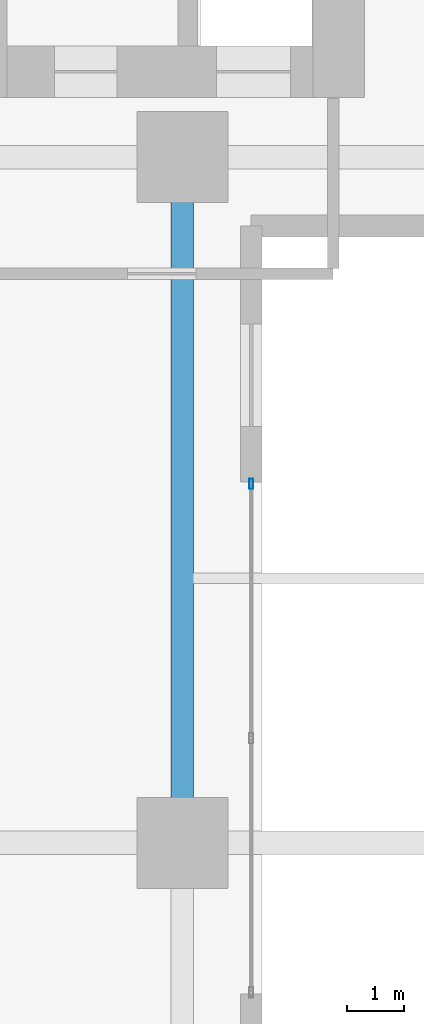
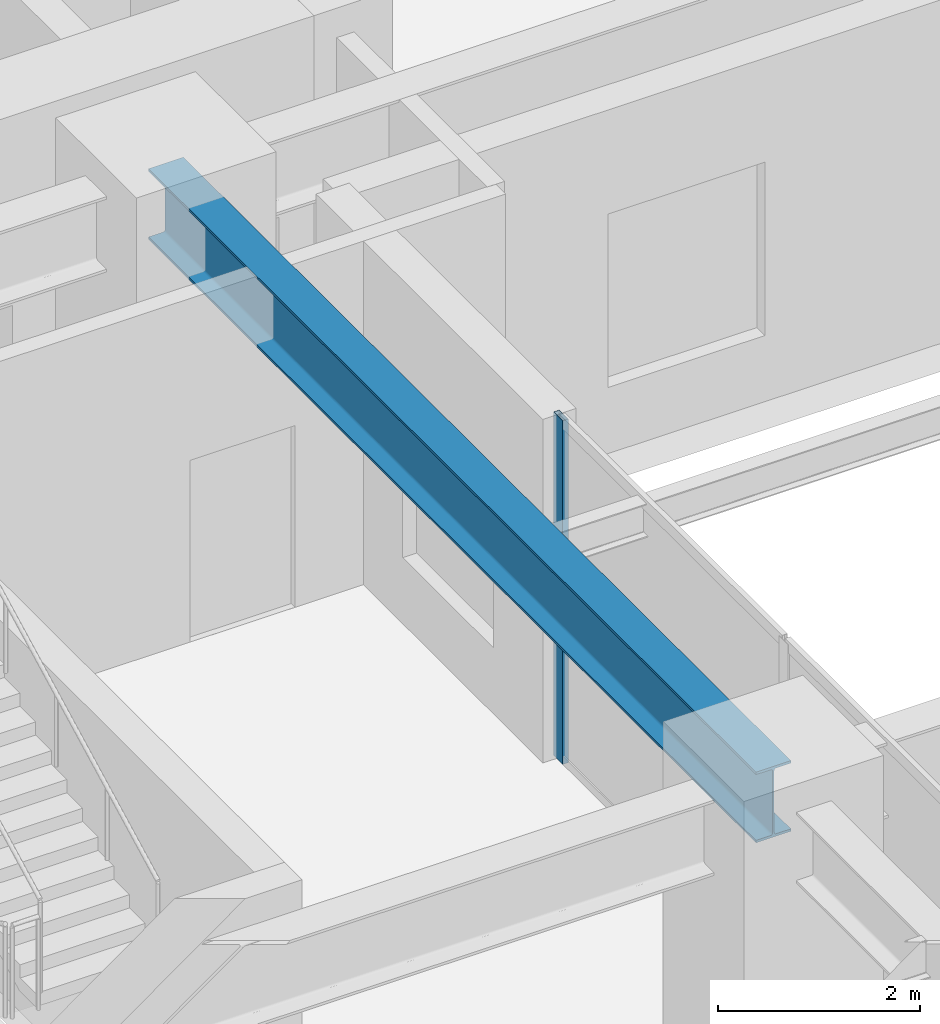
# One storey, part 3 of 26: 1 beam, 1 member, 1 element without a shape of its own.
"""IFC4 building model written with IfcOpenShell, lengths in metres."""

from ifc_helpers import new_model, si_unit, direction, frame, origin, origin_2d, place, context, subcontext, project, spatial, hollow_rectangle, i_section, extrude, source, transform, mapped, material, layer, layer_set, material_profile, profile_set, type_object, element, aggregate, save


model = new_model("IFC4")

# Units and contexts
model_context = context("Model", 3, precision=1e-05, world=origin(), true_north=direction((0.0, 1.0)))
body_context = subcontext(model_context, "Body", "Model", "MODEL_VIEW")
ifc_project = project(units=[si_unit("LENGTHUNIT", "METRE"), si_unit("AREAUNIT", "SQUARE_METRE"), si_unit("VOLUMEUNIT", "CUBIC_METRE"), si_unit("PLANEANGLEUNIT", "RADIAN"), si_unit("MASSUNIT", "GRAM", prefix="KILO")], contexts=[model_context])

# Site, building, storey
site_placement = place(None, origin())
site = spatial("IfcSite", under=ifc_project, at=site_placement, CompositionType="ELEMENT")
building_placement = place(site_placement, origin())
building = spatial("IfcBuilding", under=site, at=building_placement, Name="Khoralis Quay Care Tower", CompositionType="ELEMENT")
storey_placement = place(building_placement, frame((0.0, 0.0, 4.5)))
storey = spatial("IfcBuildingStorey", under=building, at=storey_placement, Name="L01", CompositionType="ELEMENT", Elevation=4.5)

# Beam
ifc_material_1 = material(Name="Steel S355", Category="steel")
ifc_material_profile_1 = material_profile(ifc_material_1, i_section(OverallWidth=0.39990234375, OverallDepth=0.85498046875, WebThickness=0.018310546875, FlangeThickness=0.029296875, FilletRadius=0.02392578125, at=origin_2d()), Name="Steel S355")
ifc_profile_set_1 = profile_set([ifc_material_profile_1], Name="Steel S355")
beam_type = type_object("IfcBeamType", Name="BM-W840X299", PredefinedType="BEAM", material=ifc_profile_set_1)
shared_shape_1 = source(origin(), body_context, "Body", "SweptSolid", [
    extrude(i_section(OverallWidth=0.39990234375, OverallDepth=0.85498046875, WebThickness=0.018310546875, FlangeThickness=0.029296875, FilletRadius=0.02392578125, at=origin_2d()), origin(), (0.0, 0.0, 1.0), 12.0498046875),
])
beam_placement = place(storey_placement, frame((34.60009765625, 1.35009765625, 3.732421875), z_axis=(0.0, 1.0, 0.0), x_axis=(-1.0, 0.0, 0.0)))
element("IfcBeam", 1, at=beam_placement, inside=storey, type_object=beam_type, Name="BM-PODY-L01-38", PredefinedType="BEAM", context=body_context, shape_type="MappedRepresentation", body=[
    mapped(shared_shape_1, transform((0.0, 0.0, 0.0), scale=1.0)),
])

# Curtain wall, member
ifc_material_2 = material(Name="Pale anodised aluminium", Category="aluminium")
ifc_layer = layer(ifc_material_2, 0.179931640625)
ifc_layer_set = layer_set([ifc_layer], Name="Pale anodised aluminium")
curtain_wall_type = type_object("IfcCurtainWallType", Name="CW-SYS-Z1", PredefinedType="NOTDEFINED", material=ifc_layer_set)
curtain_wall_placement = place(storey_placement, origin())
curtain_wall = element("IfcCurtainWall", 2, at=curtain_wall_placement, inside=storey, type_object=curtain_wall_type, Name="L01 Unitised Curtain Wall CW-POD-L01-E1", PredefinedType="NOTDEFINED")
ifc_material_profile_2 = material_profile(ifc_material_2, hollow_rectangle(XDim=0.06494140625, YDim=0.179931640625, WallThickness=0.00390625, at=origin_2d()), Name="Pale anodised aluminium")
ifc_profile_set_2 = profile_set([ifc_material_profile_2], Name="Pale anodised aluminium")
member_type = type_object("IfcMemberType", Name="CW-MUL-180", PredefinedType="MULLION", material=ifc_profile_set_2)
shared_shape_2 = source(origin(), body_context, "Body", "SweptSolid", [
    extrude(hollow_rectangle(XDim=0.06494140625, YDim=0.179931640625, WallThickness=0.00390625, at=origin_2d()), origin(), (0.0, 0.0, 1.0), 4.159912109375),
])
member_placement = place(storey_placement, frame((35.81005859375, 7.659912109375, 0.0), z_axis=(0.0, 0.0, 1.0), x_axis=(-1.0, 0.0, 0.0)))
member = element("IfcMember", 3, at=member_placement, type_object=member_type, Name="CW1 mullion 3", PredefinedType="MULLION", context=body_context, shape_type="MappedRepresentation", body=[
    mapped(shared_shape_2, transform((0.0, 0.0, 0.0), scale=1.0)),
])
aggregate(curtain_wall, [member])

save(model, "model.ifc")
